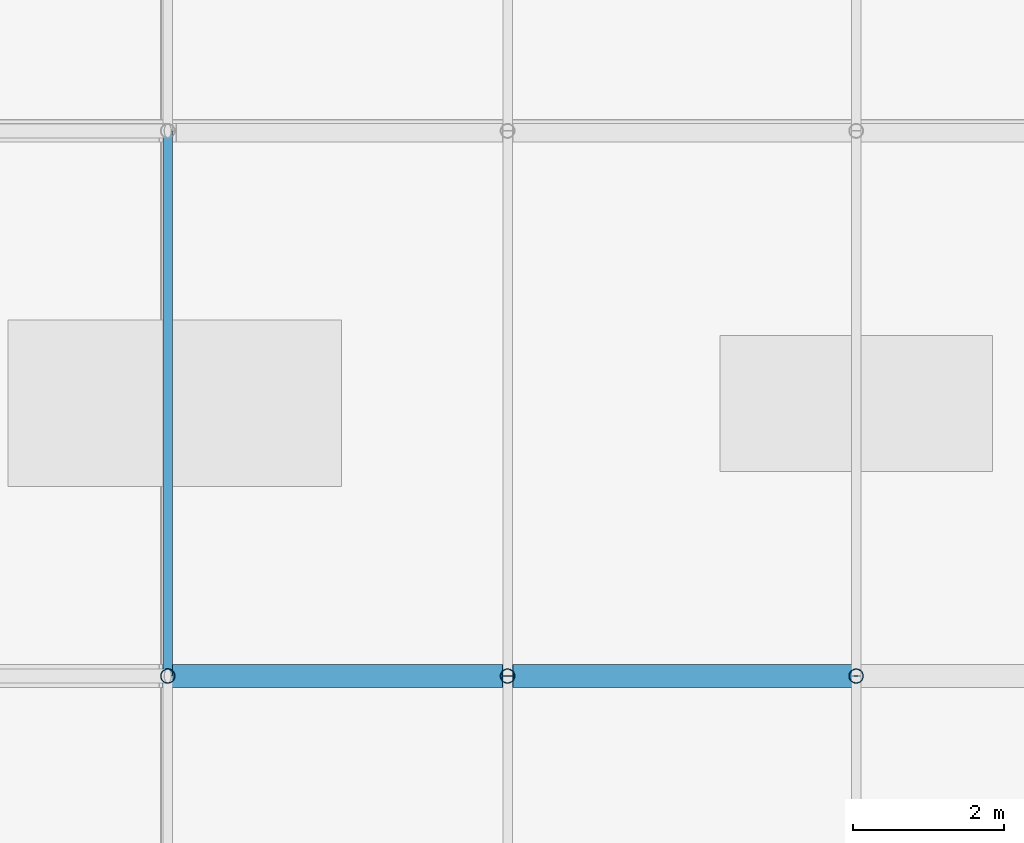
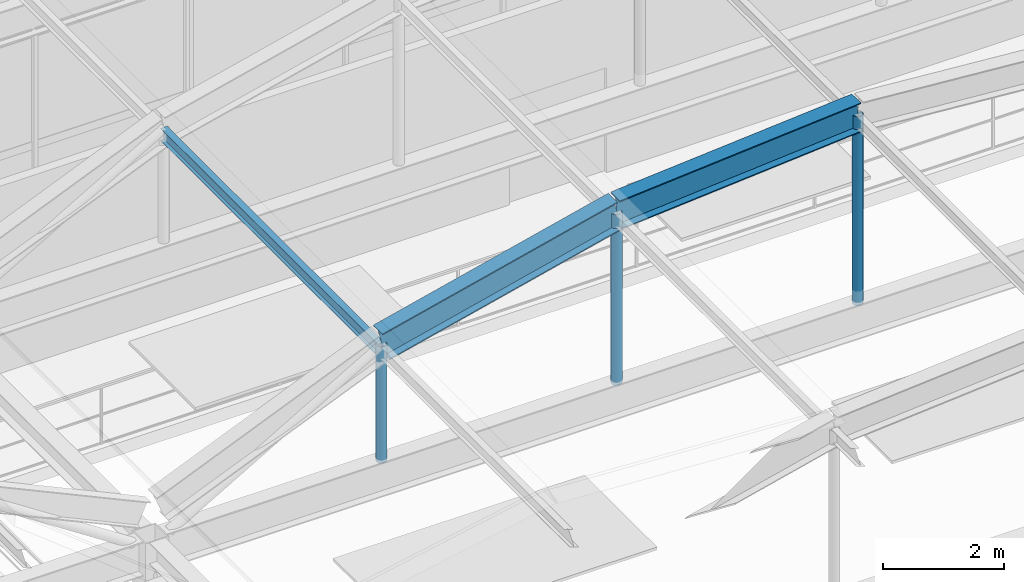
# One storey, part 38 of 106: 6 members.
"""IFC4 building model written with IfcOpenShell, lengths in metres."""

from ifc_helpers import new_model, si_unit, direction, frame, origin, origin_2d, place, context, subcontext, project, spatial, hollow_circle, i_section, extrude, material, material_profile, profile_set, type_object, element, save


model = new_model("IFC4")

# Units and contexts
model_context = context("Model", 3, precision=1e-05, world=origin(), true_north=direction((0.0, 1.0)))
body_context = subcontext(model_context, "Body", "Model", "MODEL_VIEW")
ifc_project = project(units=[si_unit("LENGTHUNIT", "METRE"), si_unit("AREAUNIT", "SQUARE_METRE"), si_unit("VOLUMEUNIT", "CUBIC_METRE"), si_unit("PLANEANGLEUNIT", "RADIAN"), si_unit("MASSUNIT", "GRAM", prefix="KILO")], contexts=[model_context])

# Site, building, storey
site_placement = place(None, origin())
site = spatial("IfcSite", under=ifc_project, at=site_placement, CompositionType="ELEMENT")
building_placement = place(site_placement, origin())
building = spatial("IfcBuilding", under=site, at=building_placement, Name="Kazanami Central Library", CompositionType="ELEMENT")
storey_placement = place(building_placement, frame((0.0, 0.0, 12.800048828125)))
storey = spatial("IfcBuildingStorey", under=building, at=storey_placement, Name="L04", CompositionType="ELEMENT", Elevation=12.800048828125)

# Members
ifc_material_1 = material(Name="Steel SN490B (325 MPa)", Category="steel")
ifc_material_profile_1 = material_profile(ifc_material_1, i_section(OverallWidth=0.300048828125, OverallDepth=0.587890625, WebThickness=0.011962890625, FlangeThickness=0.02001953125, at=origin_2d()), Name="H-588x300x12x20")
ifc_profile_set_1 = profile_set([ifc_material_profile_1], Name="Steel SN490B (325 MPa)")
member_type_1 = type_object("IfcMemberType", Name="MEM-AR-01", PredefinedType="CHORD", material=ifc_profile_set_1)
for number, where, z_axis, x_axis, name in (
    (1, (67.407958984375, 79.199951171875, 6.089111328125), (0.971622638672, 0.0, 0.236536356656), (0.0, 1.0, 0.0), "Barrel Vault Arch Rib AR-01 VAULT-MAIN Grid M Seg 2"),
    (2, (71.895751953125, 79.199951171875, 7.181640625), (0.99683088961, 0.0, 0.079549842985), (0.0, 1.0, 0.0), "Barrel Vault Arch Rib AR-01 VAULT-MAIN Grid M Seg 3"),
):
    element("IfcMember", number, at=place(storey_placement, frame(where, z_axis=z_axis, x_axis=x_axis)), inside=storey, type_object=member_type_1, Name=name, PredefinedType="CHORD", context=body_context, shape_type="SweptSolid", body=[
        extrude(i_section(OverallWidth=0.300048828125, OverallDepth=0.587890625, WebThickness=0.011962890625, FlangeThickness=0.02001953125, at=origin_2d()), origin(), (0.0, 0.0, 1.0), 4.618896484375),
    ])
ifc_material_2 = material(Name="Steel SN400B (235 MPa)", Category="steel")
ifc_material_profile_2 = material_profile(ifc_material_2, i_section(OverallWidth=0.125, OverallDepth=0.25, WebThickness=0.006103515625, FlangeThickness=0.009033203125, at=origin_2d()), Name="H-250x125x6x9")
ifc_profile_set_2 = profile_set([ifc_material_profile_2], Name="Steel SN400B (235 MPa)")
member_type_2 = type_object("IfcMemberType", Name="MEM-PUR-250", PredefinedType="PURLIN", material=ifc_profile_set_2)
member_1_placement = place(storey_placement, frame((67.407958984375, 79.205078125, 5.94921875), z_axis=(0.0, 1.0, 0.0), x_axis=(-1.0, 0.0, 0.0)))
element("IfcMember", 3, at=member_1_placement, inside=storey, type_object=member_type_2, Name="Barrel Vault Longitudinal Purlin VAULT-MAIN Knuckle 1.3", PredefinedType="PURLIN", context=body_context, shape_type="SweptSolid", body=[
    extrude(i_section(OverallWidth=0.125, OverallDepth=0.25, WebThickness=0.006103515625, FlangeThickness=0.009033203125, at=origin_2d()), origin(), (0.0, 0.0, 1.0), 7.18994140625),
])
ifc_material_3 = material(Name="Steel STK490 (315 MPa)", Category="steel")
ifc_material_profile_3 = material_profile(ifc_material_3, hollow_circle(Radius=0.095458984375, WallThickness=0.007080078125, at=origin_2d()), Name="CHS-190.7x7.0")
ifc_profile_set_3 = profile_set([ifc_material_profile_3], Name="Steel STK490 (315 MPa)")
member_type_3 = type_object("IfcMemberType", Name="MEM-VST-190", PredefinedType="STRUT", material=ifc_profile_set_3)
member_2_placement = place(storey_placement, frame((67.407958984375, 79.199951171875, 3.71484375), z_axis=(0.0, 0.0, 1.0), x_axis=(1.0, 0.0, 0.0)))
element("IfcMember", 4, at=member_2_placement, inside=storey, type_object=member_type_3, Name="Barrel Vault Tied-Arch Web Strut VAULT-MAIN Grid M Knuckle 1", PredefinedType="STRUT", context=body_context, shape_type="SweptSolid", body=[
    extrude(hollow_circle(Radius=0.095458984375, WallThickness=0.007080078125, at=origin_2d()), origin(), (0.0, 0.0, 1.0), 2.354248046875),
])
member_3_placement = place(storey_placement, frame((71.895751953125, 79.199951171875, 3.71484375), z_axis=(0.0, 0.0, 1.0), x_axis=(1.0, 0.0, 0.0)))
element("IfcMember", 5, at=member_3_placement, inside=storey, type_object=member_type_3, Name="Barrel Vault Tied-Arch Web Strut VAULT-MAIN Grid M Knuckle 2", PredefinedType="STRUT", context=body_context, shape_type="SweptSolid", body=[
    extrude(hollow_circle(Radius=0.095458984375, WallThickness=0.007080078125, at=origin_2d()), origin(), (0.0, 0.0, 1.0), 3.44677734375),
])
member_4_placement = place(storey_placement, frame((76.5, 79.199951171875, 3.71484375), z_axis=(0.0, 0.0, 1.0), x_axis=(1.0, 0.0, 0.0)))
element("IfcMember", 6, at=member_4_placement, inside=storey, type_object=member_type_3, Name="Barrel Vault Tied-Arch Web Strut VAULT-MAIN Grid M Knuckle 3", PredefinedType="STRUT", context=body_context, shape_type="SweptSolid", body=[
    extrude(hollow_circle(Radius=0.095458984375, WallThickness=0.007080078125, at=origin_2d()), origin(), (0.0, 0.0, 1.0), 3.814208984375),
])

save(model, "model.ifc")
